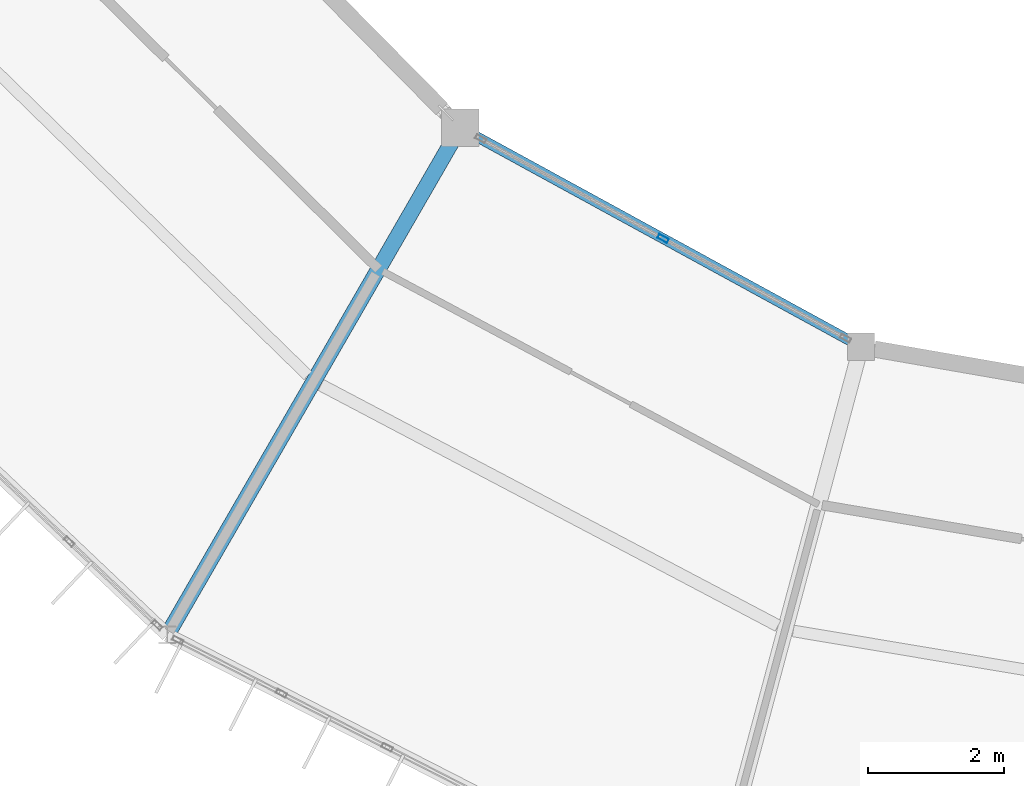
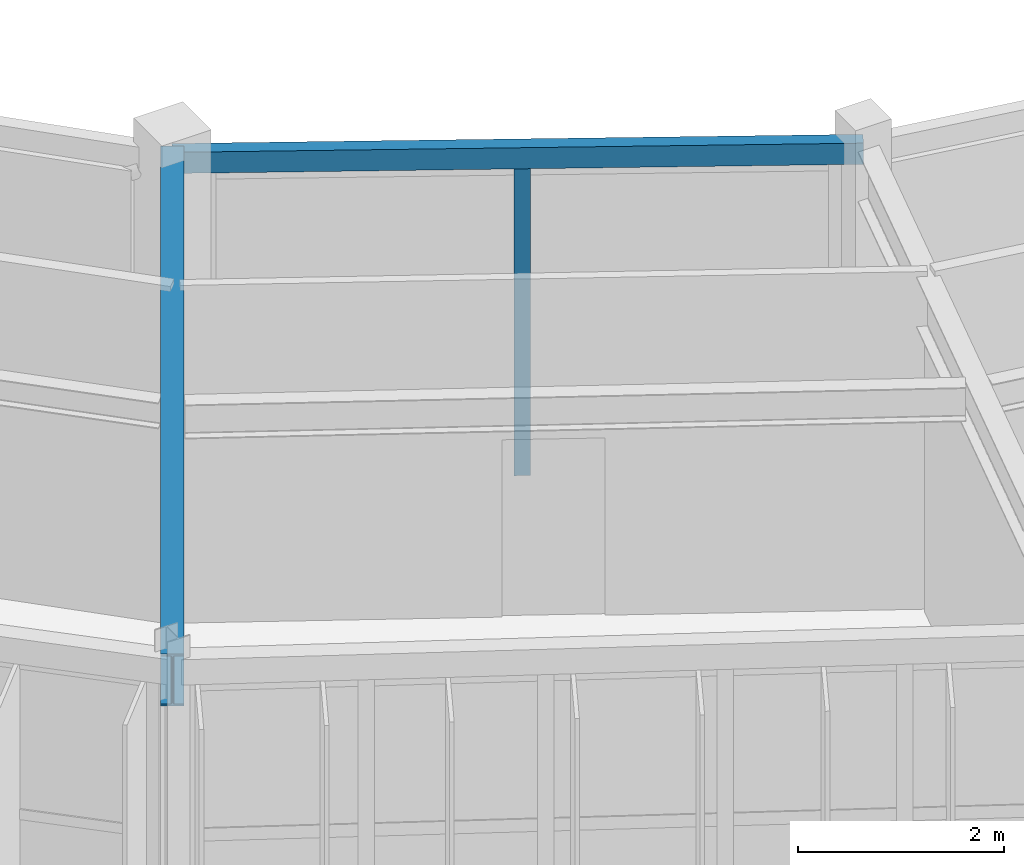
# One storey, part 26 of 130: 2 beams, 1 member, 1 element without a shape of its own.
"""IFC4 building model written with IfcOpenShell, lengths in metres."""

import ifcopenshell
import ifcopenshell.guid

model = None  # the IFC model being written
_history = None  # IfcOwnerHistory: only IFC2X3 demands one
_inside = {}  # id of a spatial element -> (the spatial element, [elements in it])
_under = {}  # id of a project, library or spatial element -> (it, [spatial elements below it])
_declared = {}  # id of a project -> (the project, [libraries it declares])
_typed = {}  # id of a type object -> (the type object, [elements of that type])
_made_of = {}  # id of a material, layer set ... -> (it, [elements and type objects made of it])


def new_model(schema):
    """Start an empty IFC model of exactly this schema.

    Asked for "IFC4X3", IfcOpenShell would pick the latest addendum, in which some entities
    have other attributes; the version numbers below select the first issue.
    IFC2X3 requires an IfcOwnerHistory on every rooted entity: one is made here for all.
    """
    global model, _history
    if schema == "IFC4X3":
        model = ifcopenshell.file(schema_version=(4, 3, 0, 0))
    else:
        model = ifcopenshell.file(schema=schema)
    _inside.clear()
    _under.clear()
    _declared.clear()
    _typed.clear()
    _made_of.clear()
    _history = None
    if model.schema == "IFC2X3":
        org = make("IfcOrganization", Name="unknown")
        user = make(
            "IfcPersonAndOrganization",
            ThePerson=make("IfcPerson", FamilyName="unknown"),
            TheOrganization=org,
        )
        app = make(
            "IfcApplication",
            ApplicationDeveloper=org,
            Version="unknown",
            ApplicationFullName="unknown",
            ApplicationIdentifier="unknown",
        )
        _history = make(
            "IfcOwnerHistory",
            OwningUser=user,
            OwningApplication=app,
            ChangeAction="ADDED",
            CreationDate=0,
        )
    return model


def make(cls, **values):
    """One entity of the class cls with the attributes given. An attribute that is None is left unset."""
    return model.create_entity(
        cls, **{name: value for name, value in values.items() if value is not None}
    )


def rooted(cls, **values):
    """An entity with a GlobalId (a new one), such as an element, a storey or a relation."""
    return make(cls, GlobalId=ifcopenshell.guid.new(), OwnerHistory=_history, **values)


def si_unit(unit_type, name, prefix=None):
    """IfcSIUnit, for example si_unit("LENGTHUNIT", "METRE", prefix="MILLI")."""
    return make("IfcSIUnit", UnitType=unit_type, Prefix=prefix, Name=name)


def assignment(units):
    """IfcUnitAssignment: the units of a project."""
    return None if units is None else make("IfcUnitAssignment", Units=units)


def point(xyz):
    """IfcCartesianPoint."""
    return None if xyz is None else make("IfcCartesianPoint", Coordinates=xyz)


def direction(xyz):
    """IfcDirection."""
    return None if xyz is None else make("IfcDirection", DirectionRatios=xyz)


def frame(location, z_axis=None, x_axis=None):
    """IfcAxis2Placement3D, a coordinate frame: its origin and axes. An axis left out is left unset."""
    return make(
        "IfcAxis2Placement3D",
        Location=point(location),
        Axis=direction(z_axis),
        RefDirection=direction(x_axis),
    )


def frame_2d(location, x_axis=None):
    """IfcAxis2Placement2D, a coordinate frame in the plane: its origin and x axis."""
    return make(
        "IfcAxis2Placement2D", Location=point(location), RefDirection=direction(x_axis)
    )


def origin():
    """The frame at (0, 0, 0) with its axes left unset."""
    return frame((0.0, 0.0, 0.0))


def origin_2d():
    """The frame at (0, 0) in the plane with its x axis left unset."""
    return frame_2d((0.0, 0.0))


def place(relative_to, where):
    """IfcLocalPlacement: puts the frame where relative to a parent placement (None: the world)."""
    return make(
        "IfcLocalPlacement", PlacementRelTo=relative_to, RelativePlacement=where
    )


def context(
    kind, dimensions, precision=None, world=None, true_north=None, identifier=None
):
    """IfcGeometricRepresentationContext, for example the 3D "Model" context."""
    return make(
        "IfcGeometricRepresentationContext",
        ContextIdentifier=identifier,
        ContextType=kind,
        CoordinateSpaceDimension=dimensions,
        Precision=precision,
        WorldCoordinateSystem=world,
        TrueNorth=true_north,
    )


def subcontext(parent, identifier, kind, view, scale=None):
    """IfcGeometricRepresentationSubContext, for example "Body" below "Model"."""
    return make(
        "IfcGeometricRepresentationSubContext",
        ContextIdentifier=identifier,
        ContextType=kind,
        ParentContext=parent,
        TargetScale=scale,
        TargetView=view,
    )


def project(units=None, contexts=None):
    """IfcProject with its units and contexts."""
    return rooted(
        "IfcProject",
        Name="project",
        RepresentationContexts=contexts,
        UnitsInContext=assignment(units),
    )


def spatial(cls, under=None, at=None, **own):
    """A site, building, storey or space (cls), placed at a placement, below another one or the project."""
    s = rooted(cls, ObjectPlacement=at, **own)
    if under is not None:
        _under.setdefault(under.id(), (under, []))[1].append(s)
    return s


def profile(cls, at=None, kind="AREA", **sizes):
    """A parametric profile (cls). Its sizes go by their IFC names, for example OverallWidth=200.0."""
    return make(cls, ProfileType=kind, Position=at, **sizes)


def hollow_rectangle(**sizes):
    """IfcRectangleHollowProfileDef."""
    return profile("IfcRectangleHollowProfileDef", **sizes)


def i_section(**sizes):
    """IfcIShapeProfileDef."""
    return profile("IfcIShapeProfileDef", **sizes)


def extrude(swept, where, along, depth):
    """IfcExtrudedAreaSolid: the profile swept, set in the frame where, extruded along a direction by depth."""
    return make(
        "IfcExtrudedAreaSolid",
        SweptArea=swept,
        Position=where,
        ExtrudedDirection=direction(along),
        Depth=depth,
    )


def shape(context_of_items, identifier, shape_type, items):
    """IfcShapeRepresentation: the items that make up one representation, for example the "Body"."""
    return make(
        "IfcShapeRepresentation",
        ContextOfItems=context_of_items,
        RepresentationIdentifier=identifier,
        RepresentationType=shape_type,
        Items=items,
    )


def material(Name=None, Category=None):
    """IfcMaterial."""
    return make("IfcMaterial", Name=Name, Category=Category)


def material_profile(
    of_material, cross_section, Name=None, Category=None, Priority=None
):
    """IfcMaterialProfile: a cross section and its material."""
    return make(
        "IfcMaterialProfile",
        Name=Name,
        Material=of_material,
        Profile=cross_section,
        Priority=Priority,
        Category=Category,
    )


def profile_set(profiles, Name=None, composite=None):
    """IfcMaterialProfileSet."""
    return make(
        "IfcMaterialProfileSet",
        Name=Name,
        MaterialProfiles=profiles,
        CompositeProfile=composite,
    )


def made_of(thing, what):
    """Note that an element or type object is made of a material, layer set ...; save() writes the relation."""
    if what is not None:
        _made_of.setdefault(what.id(), (what, []))[1].append(thing)
    return thing


def type_object(cls, material=None, **own):
    """A type object (cls), such as IfcWallType, which elements share."""
    return made_of(rooted(cls, **own), material)


def element(
    cls,
    number,
    at=None,
    inside=None,
    cuts=None,
    type_object=None,
    material=None,
    context=None,
    identifier="Body",
    shape_type=None,
    held_by="IfcProductDefinitionShape",
    body=None,
    shapes=None,
    **own,
):
    """One element of the class cls, such as IfcWall. Its Tag is "e" and its number.

    at: its placement. inside: the storey or other place that contains it. cuts: it is an
    opening in that element (IfcRelVoidsElement). A single representation is given by context,
    identifier, shape_type and body (its items); several are given by shapes. held_by: the class
    of the entity that holds the representations. save() writes the other relations.
    """
    e = rooted(cls, Tag="e%d" % number, ObjectPlacement=at, **own)
    if body is not None:
        shapes = [shape(context, identifier, shape_type, body)]
    if shapes is not None:
        e.Representation = make(held_by, Representations=shapes)
    if inside is not None:
        _inside.setdefault(inside.id(), (inside, []))[1].append(e)
    if cuts is not None:
        rooted(
            "IfcRelVoidsElement", RelatingBuildingElement=cuts, RelatedOpeningElement=e
        )
    if type_object is not None:
        _typed.setdefault(type_object.id(), (type_object, []))[1].append(e)
    return made_of(e, material)


def aggregate(whole, parts):
    """IfcRelAggregates: a whole, such as a stair, and the parts it consists of."""
    return rooted("IfcRelAggregates", RelatingObject=whole, RelatedObjects=parts)


def save(model, path):
    """Write the relations noted so far, then the file.

    IfcRelAggregates (storeys below a building ...), IfcRelContainedInSpatialStructure (elements
    in a storey), IfcRelDefinesByType, IfcRelAssociatesMaterial and IfcRelDeclares: one each for
    every whole, place, type object, material and project.
    """
    for whole, parts in _under.values():
        aggregate(whole, parts)
    for where, things in _inside.values():
        rooted(
            "IfcRelContainedInSpatialStructure",
            RelatedElements=things,
            RelatingStructure=where,
        )
    for kind, things in _typed.values():
        rooted("IfcRelDefinesByType", RelatedObjects=things, RelatingType=kind)
    for what, things in _made_of.values():
        rooted("IfcRelAssociatesMaterial", RelatedObjects=things, RelatingMaterial=what)
    for by, libraries in _declared.values():
        rooted("IfcRelDeclares", RelatingContext=by, RelatedDefinitions=libraries)
    model.write(path)


model = new_model("IFC4")

# Units and contexts
model_context = context("Model", 3, precision=1e-05, world=origin(), true_north=direction((0.0, 1.0)))
body_context = subcontext(model_context, "Body", "Model", "MODEL_VIEW")
ifc_project = project(units=[si_unit("LENGTHUNIT", "METRE"), si_unit("AREAUNIT", "SQUARE_METRE"), si_unit("VOLUMEUNIT", "CUBIC_METRE"), si_unit("PLANEANGLEUNIT", "RADIAN"), si_unit("MASSUNIT", "GRAM", prefix="KILO")], contexts=[model_context])

# Site, building, storey
site_placement = place(None, origin())
site = spatial("IfcSite", under=ifc_project, at=site_placement, CompositionType="ELEMENT")
building_placement = place(site_placement, origin())
building = spatial("IfcBuilding", under=site, at=building_placement, Name="Karori Crest Natural Sciences Institute", CompositionType="ELEMENT")
storey_placement = place(building_placement, frame((0.0, 0.0, 17.5)))
storey = spatial("IfcBuildingStorey", under=building, at=storey_placement, Name="L04", CompositionType="ELEMENT", Elevation=17.5)

# Beams
ifc_material_1 = material(Name="Structural steel AS/NZS 3679.1 Grade 350", Category="steel")
ifc_material_profile_1 = material_profile(ifc_material_1, i_section(OverallWidth=0.22900390625, OverallDepth=0.612060546875, WebThickness=0.011962890625, FlangeThickness=0.01953125, FilletRadius=0.013916015625, at=origin_2d()), Name="610UB125")
ifc_profile_set_1 = profile_set([ifc_material_profile_1], Name="Structural steel AS/NZS 3679.1 Grade 350")
beam_type_1 = type_object("IfcBeamType", Name="BT-04", PredefinedType="BEAM", material=ifc_profile_set_1)
beam_1_placement = place(storey_placement, frame((54.199951171875, 22.013916015625, 3.634033203125), z_axis=(-0.500007509209, -0.866021068297, 0.0), x_axis=(0.866021068297, -0.500007509209, 0.0)))
element("IfcBeam", 1, at=beam_1_placement, inside=storey, type_object=beam_type_1, Name="Beam B-0512", PredefinedType="BEAM", context=body_context, shape_type="SweptSolid", body=[
    extrude(i_section(OverallWidth=0.22900390625, OverallDepth=0.612060546875, WebThickness=0.011962890625, FlangeThickness=0.01953125, FilletRadius=0.013916015625, at=origin_2d()), origin(), (0.0, 0.0, 1.0), 8.599853515625),
])
ifc_material_2 = material(Name="Hollow structural steel AS/NZS 1163 Grade C350", Category="steel")
ifc_material_profile_2 = material_profile(ifc_material_2, hollow_rectangle(XDim=0.14990234375, YDim=0.25, WallThickness=0.009033203125, at=origin_2d()), Name="RHS250x150x9")
ifc_profile_set_2 = profile_set([ifc_material_profile_2], Name="Hollow structural steel AS/NZS 1163 Grade C350")
beam_type_2 = type_object("IfcBeamType", Name="BT-16", PredefinedType="SPANDREL", material=ifc_profile_set_2)
beam_2_placement = place(storey_placement, frame((54.199951171875, 22.013916015625, 3.7900390625), z_axis=(0.877461157042, -0.479647701842, 0.0), x_axis=(0.479647701842, 0.877461157042, 0.0)))
element("IfcBeam", 2, at=beam_2_placement, inside=storey, type_object=beam_type_2, Name="Beam B-0511", PredefinedType="SPANDREL", context=body_context, shape_type="SweptSolid", body=[
    extrude(hollow_rectangle(XDim=0.14990234375, YDim=0.25, WallThickness=0.009033203125, at=origin_2d()), origin(), (0.0, 0.0, 1.0), 6.70654296875),
])

# Curtain wall, member
ifc_material_3 = material(Name="Anodised architectural aluminium 6063-T6", Category="aluminium")
curtain_wall_type = type_object("IfcCurtainWallType", Name="CWT-12", PredefinedType="NOTDEFINED", material=ifc_material_3)
curtain_wall_placement = place(storey_placement, origin())
curtain_wall = element("IfcCurtainWall", 3, at=curtain_wall_placement, inside=storey, type_object=curtain_wall_type, Name="Curtain wall CW-0161", PredefinedType="NOTDEFINED")
ifc_material_profile_3 = material_profile(ifc_material_3, hollow_rectangle(XDim=0.06494140625, YDim=0.159912109375, WallThickness=0.00390625, at=origin_2d()), Name="CWM160x65x4")
ifc_profile_set_3 = profile_set([ifc_material_profile_3], Name="Anodised architectural aluminium 6063-T6")
member_type = type_object("IfcMemberType", Name="CWM-01", PredefinedType="MULLION", material=ifc_profile_set_3)
member_placement = place(storey_placement, frame((57.179931640625, 20.385009765625, 0.0), z_axis=(0.0, 0.0, 1.0), x_axis=(0.479631017431, 0.877470277057, 0.0)))
member = element("IfcMember", 4, at=member_placement, type_object=member_type, Name="CW-0161 mullion 2", PredefinedType="MULLION", context=body_context, shape_type="SweptSolid", body=[
    extrude(hollow_rectangle(XDim=0.06494140625, YDim=0.159912109375, WallThickness=0.00390625, at=origin_2d()), origin(), (0.0, 0.0, 1.0), 3.64990234375),
])
aggregate(curtain_wall, [member])

save(model, "model.ifc")
